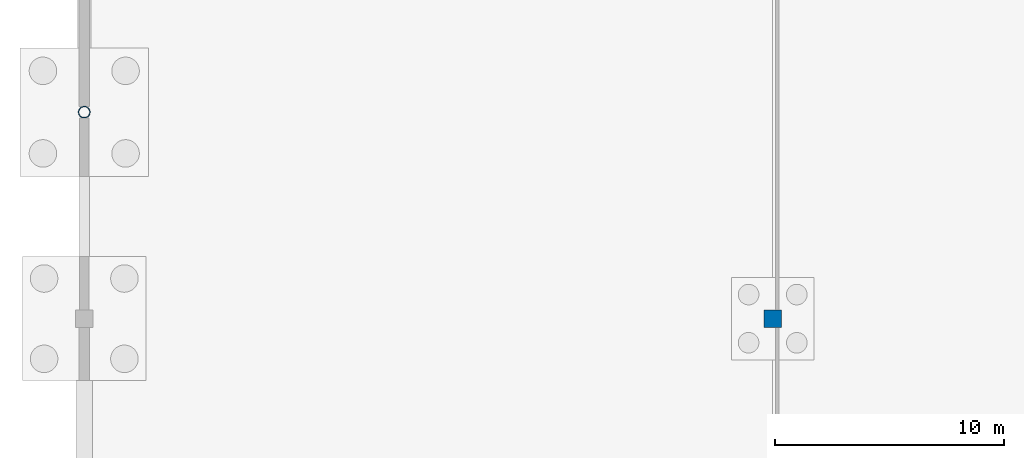
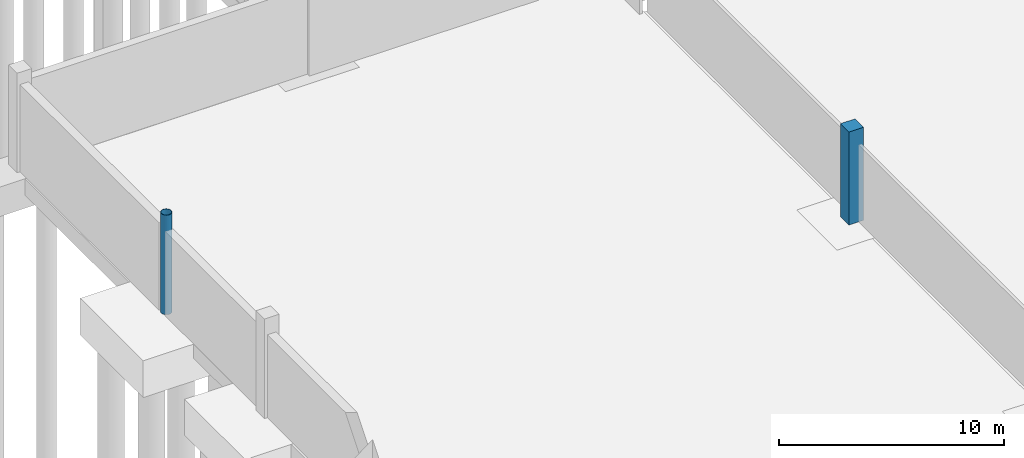
# One storey, part 20 of 58: 2 columns.
"""IFC4 building model written with IfcOpenShell, lengths in metres."""

from ifc_helpers import new_model, si_unit, direction, frame, origin, origin_2d, place, context, subcontext, project, spatial, rectangle, hollow_circle, extrude, material, material_profile, profile_set, type_object, element, save


model = new_model("IFC4")

# Units and contexts
model_context = context("Model", 3, precision=1e-05, world=origin(), true_north=direction((0.0, 1.0)))
body_context = subcontext(model_context, "Body", "Model", "MODEL_VIEW")
ifc_project = project(units=[si_unit("LENGTHUNIT", "METRE"), si_unit("AREAUNIT", "SQUARE_METRE"), si_unit("VOLUMEUNIT", "CUBIC_METRE"), si_unit("PLANEANGLEUNIT", "RADIAN"), si_unit("MASSUNIT", "GRAM", prefix="KILO")], contexts=[model_context])

# Site, building, storey
site_placement = place(None, origin())
site = spatial("IfcSite", under=ifc_project, at=site_placement, CompositionType="ELEMENT")
building_placement = place(site_placement, origin())
building = spatial("IfcBuilding", under=site, at=building_placement, Name="Qamarlyn Nura Convention Centre", CompositionType="ELEMENT")
storey_placement = place(building_placement, frame((0.0, 0.0, -5.39990234375)))
storey = spatial("IfcBuildingStorey", under=building, at=storey_placement, Name="B01", CompositionType="ELEMENT", Elevation=-5.39990234375)

# Columns
ifc_material_1 = material(Name="Pearl-white PVDF steel ASTM A500 Grade C", Category="steel")
ifc_material_profile_1 = material_profile(ifc_material_1, hollow_circle(Radius=0.25390625, WallThickness=0.02001953125, at=origin_2d()), Name="CHS508X20")
ifc_profile_set_1 = profile_set([ifc_material_profile_1], Name="Pearl-white PVDF steel ASTM A500 Grade C")
column_type_1 = type_object("IfcColumnType", Name="COL-HALL-1", PredefinedType="COLUMN", material=ifc_profile_set_1)
column_1_placement = place(storey_placement, frame((0.0, 90.0, 0.0), z_axis=(0.0, 0.0, 1.0), x_axis=(1.0, 0.0, 0.0)))
element("IfcColumn", 1, at=column_1_placement, inside=storey, type_object=column_type_1, Name="B01 column 1/L", PredefinedType="COLUMN", context=body_context, shape_type="SweptSolid", body=[
    extrude(hollow_circle(Radius=0.25390625, WallThickness=0.02001953125, at=origin_2d()), origin(), (0.0, 0.0, 1.0), 5.39990234375),
])
ifc_material_2 = material(Name="Concrete C50/60", Category="concrete")
ifc_material_profile_2 = material_profile(ifc_material_2, rectangle(XDim=0.75, YDim=0.75, at=origin_2d()), Name="RC 750x750")
ifc_profile_set_2 = profile_set([ifc_material_profile_2], Name="Concrete C50/60")
column_type_2 = type_object("IfcColumnType", Name="COL-SUB-2", PredefinedType="COLUMN", material=ifc_profile_set_2)
column_2_placement = place(storey_placement, frame((30.0, 81.0, 0.0), z_axis=(0.0, 0.0, 1.0), x_axis=(1.0, 0.0, 0.0)))
element("IfcColumn", 2, at=column_2_placement, inside=storey, type_object=column_type_2, Name="B01 column 3/K", PredefinedType="COLUMN", context=body_context, shape_type="SweptSolid", body=[
    extrude(rectangle(XDim=0.75, YDim=0.75, at=origin_2d()), origin(), (0.0, 0.0, 1.0), 5.0498046875),
])

save(model, "model.ifc")
